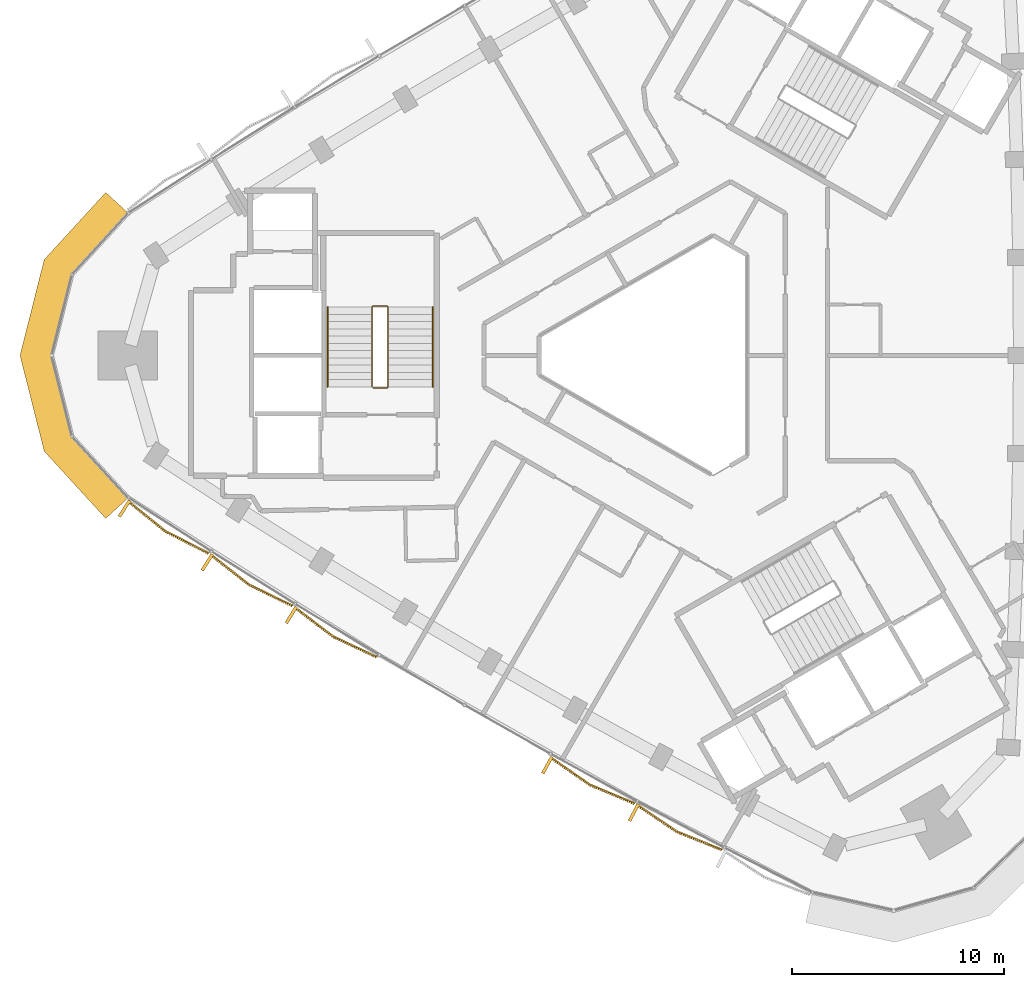
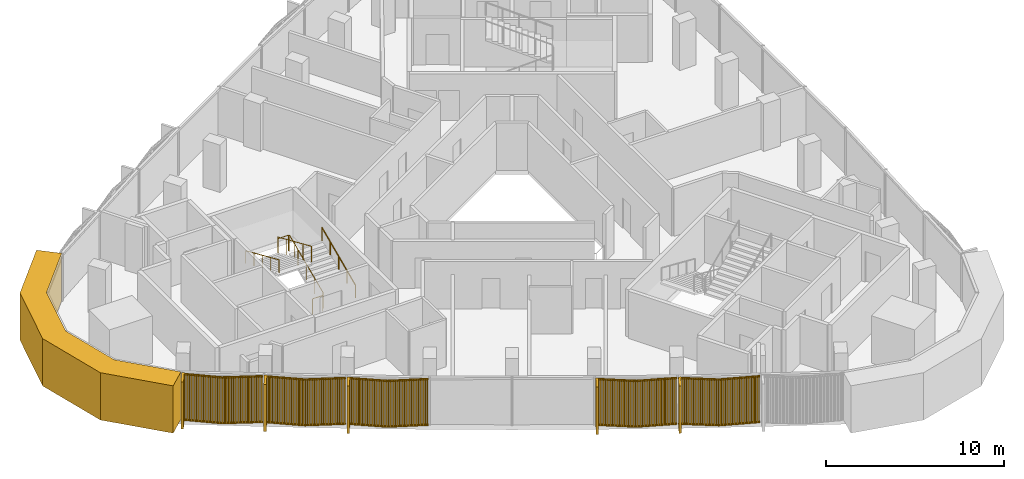
# One storey, part 12 of 16: 6 coverings, 3 railings.
"""IFC4 building model written with IfcOpenShell, lengths in metres."""

from ifc_helpers import new_model, si_unit, direction, frame, frame_2d, origin, origin_2d, place, context, subcontext, project, spatial, polyline, rectangle, circle, outline, extrude, source, transform, mapped, material, layer, layer_set, type_object, element, save


model = new_model("IFC4")

# Units and contexts
model_context = context("Model", 3, precision=1e-05, world=origin(), true_north=direction((0.0, 1.0)))
body_context = subcontext(model_context, "Body", "Model", "MODEL_VIEW")
ifc_project = project(units=[si_unit("LENGTHUNIT", "METRE"), si_unit("AREAUNIT", "SQUARE_METRE"), si_unit("VOLUMEUNIT", "CUBIC_METRE"), si_unit("PLANEANGLEUNIT", "RADIAN"), si_unit("MASSUNIT", "GRAM", prefix="KILO")], contexts=[model_context])

# Site, building, storey
site_placement = place(None, origin())
site = spatial("IfcSite", under=ifc_project, at=site_placement, CompositionType="ELEMENT")
building_placement = place(site_placement, origin())
building = spatial("IfcBuilding", under=site, at=building_placement, Name="Tamra Quay Hotel Tower", CompositionType="ELEMENT")
storey_placement = place(building_placement, frame((0.0, 0.0, 239.39990234375)))
storey = spatial("IfcBuildingStorey", under=building, at=storey_placement, Name="L60", CompositionType="ELEMENT", Elevation=239.39990234375)

# Covering
ifc_material_1 = material(Name="Precast concrete M60 terracotta-coloured", Category="masonry")
ifc_layer = layer(ifc_material_1, 1.449951171875)
ifc_layer_set = layer_set([ifc_layer], Name="CORNER PIER PANEL")
covering_type_1 = type_object("IfcCoveringType", Name="CORNER PIER PANEL", PredefinedType="CLADDING", material=ifc_layer_set)
covering_placement = place(storey_placement, origin())
element("IfcCovering", 1, at=covering_placement, inside=storey, type_object=covering_type_1, Name="Corner pier L60.north-west", PredefinedType="CLADDING", context=body_context, shape_type="SweptSolid", body=[
    extrude(outline(polyline([(-25.387939453125, 6.712646484375), (-26.457275390625, 7.69189453125), (-29.3603515625, 4.5224609375), (-30.501708984375, 0.0), (-29.3603515625, -4.5224609375), (-26.457275390625, -7.69189453125), (-25.387939453125, -6.712646484375), (-28.0439453125, -3.812744140625), (-29.006103515625, 0.0), (-28.0439453125, 3.812744140625), (-25.387939453125, 6.712646484375)])), origin(), (0.0, 0.0, 1.0), 3.25),
])

# Railings
ifc_material_2 = material(Name="Stair guard 1100")
railing_type_1 = type_object("IfcRailingType", Name="Stair guard 1100", PredefinedType="GUARDRAIL", material=ifc_material_2)
railing_1_placement = place(storey_placement, frame((-13.84130859375, -1.530029296875, 0.0)))
element("IfcRailing", 2, at=railing_1_placement, inside=storey, type_object=railing_type_1, Name="GR", PredefinedType="GUARDRAIL", context=body_context, shape_type="SweptSolid", body=[
    extrude(circle(Radius=0.02392578125, at=origin_2d()), frame((0.0, 0.0, 1.076171875), z_axis=(1.0, 0.0, 0.0), x_axis=(0.0, 1.0, 0.0)), (0.0, 0.0, 1.0), 0.658935546875),
    extrude(circle(Radius=0.02392578125, at=origin_2d()), frame((0.658935546875, 0.0, 1.076171875), z_axis=(0.301511344578, 0.301511344578, 0.904534033733), x_axis=(-0.707106781187, 0.707106781187, 0.0)), (0.0, 0.0, 1.0), 0.166015625),
    extrude(circle(Radius=0.02392578125, at=origin_2d()), frame((0.708984375, 0.050048828125, 1.22607421875), z_axis=(0.0, 0.915795495799, 0.401644880304), x_axis=(-1.0, 0.0, 0.0)), (0.0, 0.0, 1.0), 4.10791015625),
    extrude(circle(Radius=0.02392578125, at=origin_2d()), frame((0.708984375, 3.81201171875, 2.8759765625), z_axis=(-0.708833529934, 0.705375805398, 0.0), x_axis=(-0.705375805398, -0.708833529934, 0.0)), (0.0, 0.0, 1.0), 0.070556640625),
    extrude(circle(Radius=0.02392578125, at=origin_2d()), frame((0.658935546875, 3.86181640625, 2.8759765625), z_axis=(-1.0, 0.0, 0.0), x_axis=(0.0, -1.0, 0.0)), (0.0, 0.0, 1.0), 0.658935546875),
    extrude(circle(Radius=0.02392578125, at=origin_2d()), frame((0.0, 3.86181640625, 2.8759765625), z_axis=(-0.301644814947, -0.300173376825, 0.904934444842), x_axis=(0.705375805398, -0.708833529934, 0.0)), (0.0, 0.0, 1.0), 0.166015625),
    extrude(circle(Radius=0.02392578125, at=origin_2d()), frame((-0.050048828125, 3.81201171875, 3.0263671875), z_axis=(0.0, -0.915795495799, 0.401644880304), x_axis=(1.0, 0.0, 0.0)), (0.0, 0.0, 1.0), 4.10791015625),
    extrude(circle(Radius=0.02099609375, at=origin_2d()), origin(), (0.0, 0.0, 1.0), 1.052001953125),
    extrude(circle(Radius=0.02099609375, at=origin_2d()), frame((0.658935546875, 0.0, 0.0)), (0.0, 0.0, 1.0), 1.052001953125),
    extrude(circle(Radius=0.02099609375, at=origin_2d()), frame((0.708984375, 0.050048828125, 0.150146484375)), (0.0, 0.0, 1.0), 1.052001953125),
    extrude(circle(Radius=0.02099609375, at=origin_2d()), frame((0.708984375, 0.990478515625, 0.5625)), (0.0, 0.0, 1.0), 1.052001953125),
    extrude(circle(Radius=0.02099609375, at=origin_2d()), frame((0.708984375, 1.93115234375, 0.97509765625)), (0.0, 0.0, 1.0), 1.052001953125),
    extrude(circle(Radius=0.02099609375, at=origin_2d()), frame((0.708984375, 2.87158203125, 1.3876953125)), (0.0, 0.0, 1.0), 1.052001953125),
    extrude(circle(Radius=0.02099609375, at=origin_2d()), frame((0.708984375, 3.81201171875, 1.800048828125)), (0.0, 0.0, 1.0), 1.052001953125),
    extrude(circle(Radius=0.02099609375, at=origin_2d()), frame((0.658935546875, 3.86181640625, 1.800048828125)), (0.0, 0.0, 1.0), 1.052001953125),
    extrude(circle(Radius=0.02099609375, at=origin_2d()), frame((0.0, 3.86181640625, 1.800048828125)), (0.0, 0.0, 1.0), 1.052001953125),
    extrude(circle(Radius=0.02099609375, at=origin_2d()), frame((-0.050048828125, 3.81201171875, 1.9501953125)), (0.0, 0.0, 1.0), 1.052001953125),
    extrude(circle(Radius=0.02099609375, at=origin_2d()), frame((-0.050048828125, 2.87158203125, 2.36279296875)), (0.0, 0.0, 1.0), 1.052001953125),
    extrude(circle(Radius=0.02099609375, at=origin_2d()), frame((-0.050048828125, 1.93115234375, 2.775146484375)), (0.0, 0.0, 1.0), 1.052001953125),
    extrude(circle(Radius=0.02099609375, at=origin_2d()), frame((-0.050048828125, 0.990478515625, 3.1875)), (0.0, 0.0, 1.0), 1.052001953125),
    extrude(circle(Radius=0.02099609375, at=origin_2d()), frame((-0.050048828125, 0.050048828125, 3.60009765625)), (0.0, 0.0, 1.0), 1.052001953125),
])
ifc_material_3 = material(Name="Stair handrail 900")
railing_type_2 = type_object("IfcRailingType", Name="Stair handrail 900", PredefinedType="HANDRAIL", material=ifc_material_3)
railing_2_placement = place(storey_placement, frame((-11.0322265625, -1.47998046875, 0.150146484375)))
element("IfcRailing", 3, at=railing_2_placement, inside=storey, type_object=railing_type_2, Name="HR", PredefinedType="HANDRAIL", context=body_context, shape_type="SweptSolid", body=[
    extrude(circle(Radius=0.02392578125, at=origin_2d()), frame((0.0, 0.0, 0.8759765625), z_axis=(0.0, 0.915795495799, 0.401644880304), x_axis=(-1.0, 0.0, 0.0)), (0.0, 0.0, 1.0), 4.10791015625),
    extrude(circle(Radius=0.02099609375, at=origin_2d()), origin(), (0.0, 0.0, 1.0), 0.851806640625),
    extrude(circle(Radius=0.02099609375, at=origin_2d()), frame((0.0, 0.9404296875, 0.41259765625)), (0.0, 0.0, 1.0), 0.851806640625),
    extrude(circle(Radius=0.02099609375, at=origin_2d()), frame((0.0, 1.880859375, 0.824951171875)), (0.0, 0.0, 1.0), 0.851806640625),
    extrude(circle(Radius=0.02099609375, at=origin_2d()), frame((0.0, 2.821533203125, 1.2373046875)), (0.0, 0.0, 1.0), 0.851806640625),
    extrude(circle(Radius=0.02099609375, at=origin_2d()), frame((0.0, 3.761962890625, 1.64990234375)), (0.0, 0.0, 1.0), 0.851806640625),
])
railing_3_placement = place(storey_placement, frame((-15.9912109375, 2.281982421875, 1.9501953125)))
element("IfcRailing", 4, at=railing_3_placement, inside=storey, type_object=railing_type_2, Name="HR", PredefinedType="HANDRAIL", context=body_context, shape_type="SweptSolid", body=[
    extrude(circle(Radius=0.02392578125, at=origin_2d()), frame((0.0, 0.0, 0.8759765625), z_axis=(0.0, -0.915795495799, 0.401644880304), x_axis=(1.0, 0.0, 0.0)), (0.0, 0.0, 1.0), 4.10791015625),
    extrude(circle(Radius=0.02099609375, at=origin_2d()), origin(), (0.0, 0.0, 1.0), 0.851806640625),
    extrude(circle(Radius=0.02099609375, at=origin_2d()), frame((0.0, -0.9404296875, 0.41259765625)), (0.0, 0.0, 1.0), 0.851806640625),
    extrude(circle(Radius=0.02099609375, at=origin_2d()), frame((0.0, -1.880859375, 0.824951171875)), (0.0, 0.0, 1.0), 0.851806640625),
    extrude(circle(Radius=0.02099609375, at=origin_2d()), frame((0.0, -2.821533203125, 1.2373046875)), (0.0, 0.0, 1.0), 0.851806640625),
    extrude(circle(Radius=0.02099609375, at=origin_2d()), frame((0.0, -3.761962890625, 1.64990234375)), (0.0, 0.0, 1.0), 0.851806640625),
])

# Coverings
ifc_material_4 = material(Name="Terracotta baguette extruded", Category="masonry")
covering_type_2 = type_object("IfcCoveringType", Name="BAGUETTE SCREEN SW-V H3250", PredefinedType="USERDEFINED", material=ifc_material_4)
shared_shape_1 = source(origin(), body_context, "Body", "SweptSolid", [
    extrude(rectangle(XDim=2.295166015625, YDim=0.06005859375, at=frame_2d((1.1474609375, 0.030029296875))), frame((-2.288818359375, -0.0576171875, -0.1201171875), z_axis=(0.0, 0.0, 1.0), x_axis=(0.994521895368, -0.104528463268, 0.0)), (0.0, 0.0, 1.0), 0.1201171875),
    extrude(rectangle(XDim=2.295166015625, YDim=0.06005859375, at=frame_2d((1.1474609375, 0.030029296875))), frame((-2.288818359375, -0.0576171875, -3.25), z_axis=(0.0, 0.0, 1.0), x_axis=(0.994521895368, -0.104528463268, 0.0)), (0.0, 0.0, 1.0), 0.1201171875),
    extrude(rectangle(XDim=0.070068359375, YDim=0.10009765625, at=frame_2d((0.03515625, 0.050048828125))), frame((-2.267822265625, -0.13330078125, -3.18994140625)), (0.0, 0.0, 1.0), 3.1298828125),
    extrude(rectangle(XDim=0.070068359375, YDim=0.10009765625, at=frame_2d((0.03515625, 0.050048828125))), frame((-2.168701171875, -0.1435546875, -3.18994140625)), (0.0, 0.0, 1.0), 3.1298828125),
    extrude(rectangle(XDim=0.070068359375, YDim=0.10009765625, at=frame_2d((0.03515625, 0.050048828125))), frame((-2.0693359375, -0.154052734375, -3.18994140625)), (0.0, 0.0, 1.0), 3.1298828125),
    extrude(rectangle(XDim=0.070068359375, YDim=0.10009765625, at=frame_2d((0.03515625, 0.050048828125))), frame((-1.97021484375, -0.16455078125, -3.18994140625)), (0.0, 0.0, 1.0), 3.1298828125),
    extrude(rectangle(XDim=0.070068359375, YDim=0.10009765625, at=frame_2d((0.03515625, 0.050048828125))), frame((-1.870849609375, -0.175048828125, -3.18994140625)), (0.0, 0.0, 1.0), 3.1298828125),
    extrude(rectangle(XDim=0.070068359375, YDim=0.10009765625, at=frame_2d((0.03515625, 0.050048828125))), frame((-1.771728515625, -0.185302734375, -3.18994140625)), (0.0, 0.0, 1.0), 3.1298828125),
    extrude(rectangle(XDim=0.070068359375, YDim=0.10009765625, at=frame_2d((0.03515625, 0.050048828125))), frame((-1.67236328125, -0.19580078125, -3.18994140625)), (0.0, 0.0, 1.0), 3.1298828125),
    extrude(rectangle(XDim=0.070068359375, YDim=0.10009765625, at=frame_2d((0.03515625, 0.050048828125))), frame((-1.5732421875, -0.206298828125, -3.18994140625)), (0.0, 0.0, 1.0), 3.1298828125),
    extrude(rectangle(XDim=0.070068359375, YDim=0.10009765625, at=frame_2d((0.03515625, 0.050048828125))), frame((-1.473876953125, -0.216552734375, -3.18994140625)), (0.0, 0.0, 1.0), 3.1298828125),
    extrude(rectangle(XDim=0.070068359375, YDim=0.10009765625, at=frame_2d((0.03515625, 0.050048828125))), frame((-1.374755859375, -0.22705078125, -3.18994140625)), (0.0, 0.0, 1.0), 3.1298828125),
    extrude(rectangle(XDim=0.070068359375, YDim=0.10009765625, at=frame_2d((0.03515625, 0.050048828125))), frame((-1.275390625, -0.237548828125, -3.18994140625)), (0.0, 0.0, 1.0), 3.1298828125),
    extrude(rectangle(XDim=0.070068359375, YDim=0.10009765625, at=frame_2d((0.03515625, 0.050048828125))), frame((-1.17626953125, -0.248046875, -3.18994140625)), (0.0, 0.0, 1.0), 3.1298828125),
    extrude(rectangle(XDim=0.070068359375, YDim=0.10009765625, at=frame_2d((0.03515625, 0.050048828125))), frame((-1.076904296875, -0.25830078125, -3.18994140625)), (0.0, 0.0, 1.0), 3.1298828125),
    extrude(rectangle(XDim=0.070068359375, YDim=0.10009765625, at=frame_2d((0.03515625, 0.050048828125))), frame((-0.977783203125, -0.268798828125, -3.18994140625)), (0.0, 0.0, 1.0), 3.1298828125),
    extrude(rectangle(XDim=0.070068359375, YDim=0.10009765625, at=frame_2d((0.03515625, 0.050048828125))), frame((-0.87841796875, -0.279296875, -3.18994140625)), (0.0, 0.0, 1.0), 3.1298828125),
    extrude(rectangle(XDim=0.070068359375, YDim=0.10009765625, at=frame_2d((0.03515625, 0.050048828125))), frame((-0.779296875, -0.28955078125, -3.18994140625)), (0.0, 0.0, 1.0), 3.1298828125),
    extrude(rectangle(XDim=0.070068359375, YDim=0.10009765625, at=frame_2d((0.03515625, 0.050048828125))), frame((-0.679931640625, -0.300048828125, -3.18994140625)), (0.0, 0.0, 1.0), 3.1298828125),
    extrude(rectangle(XDim=0.070068359375, YDim=0.10009765625, at=frame_2d((0.03515625, 0.050048828125))), frame((-0.580810546875, -0.310546875, -3.18994140625)), (0.0, 0.0, 1.0), 3.1298828125),
    extrude(rectangle(XDim=0.070068359375, YDim=0.10009765625, at=frame_2d((0.03515625, 0.050048828125))), frame((-0.481689453125, -0.321044921875, -3.18994140625)), (0.0, 0.0, 1.0), 3.1298828125),
    extrude(rectangle(XDim=0.070068359375, YDim=0.10009765625, at=frame_2d((0.03515625, 0.050048828125))), frame((-0.38232421875, -0.331298828125, -3.18994140625)), (0.0, 0.0, 1.0), 3.1298828125),
    extrude(rectangle(XDim=0.070068359375, YDim=0.10009765625, at=frame_2d((0.03515625, 0.050048828125))), frame((-0.283203125, -0.341796875, -3.18994140625)), (0.0, 0.0, 1.0), 3.1298828125),
    extrude(rectangle(XDim=0.070068359375, YDim=0.10009765625, at=frame_2d((0.03515625, 0.050048828125))), frame((-0.183837890625, -0.352294921875, -3.18994140625)), (0.0, 0.0, 1.0), 3.1298828125),
    extrude(rectangle(XDim=0.070068359375, YDim=0.10009765625, at=frame_2d((0.03515625, 0.050048828125))), frame((-0.084716796875, -0.36279296875, -3.18994140625)), (0.0, 0.0, 1.0), 3.1298828125),
    extrude(rectangle(XDim=2.295166015625, YDim=0.06005859375, at=frame_2d((1.1474609375, 0.030029296875))), frame((0.00634765625, -0.297607421875, -0.1201171875), z_axis=(0.0, 0.0, 1.0), x_axis=(0.994521895368, 0.104528463268, 0.0)), (0.0, 0.0, 1.0), 0.1201171875),
    extrude(rectangle(XDim=2.295166015625, YDim=0.06005859375, at=frame_2d((1.1474609375, 0.030029296875))), frame((0.00634765625, -0.297607421875, -3.25), z_axis=(0.0, 0.0, 1.0), x_axis=(0.994521895368, 0.104528463268, 0.0)), (0.0, 0.0, 1.0), 0.1201171875),
    extrude(rectangle(XDim=0.070068359375, YDim=0.10009765625, at=frame_2d((0.03515625, 0.050048828125))), frame((0.0146484375, -0.36279296875, -3.18994140625)), (0.0, 0.0, 1.0), 3.1298828125),
    extrude(rectangle(XDim=0.070068359375, YDim=0.10009765625, at=frame_2d((0.03515625, 0.050048828125))), frame((0.11376953125, -0.352294921875, -3.18994140625)), (0.0, 0.0, 1.0), 3.1298828125),
    extrude(rectangle(XDim=0.070068359375, YDim=0.10009765625, at=frame_2d((0.03515625, 0.050048828125))), frame((0.213134765625, -0.341796875, -3.18994140625)), (0.0, 0.0, 1.0), 3.1298828125),
    extrude(rectangle(XDim=0.070068359375, YDim=0.10009765625, at=frame_2d((0.03515625, 0.050048828125))), frame((0.312255859375, -0.331298828125, -3.18994140625)), (0.0, 0.0, 1.0), 3.1298828125),
    extrude(rectangle(XDim=0.070068359375, YDim=0.10009765625, at=frame_2d((0.03515625, 0.050048828125))), frame((0.41162109375, -0.321044921875, -3.18994140625)), (0.0, 0.0, 1.0), 3.1298828125),
    extrude(rectangle(XDim=0.070068359375, YDim=0.10009765625, at=frame_2d((0.03515625, 0.050048828125))), frame((0.5107421875, -0.310546875, -3.18994140625)), (0.0, 0.0, 1.0), 3.1298828125),
    extrude(rectangle(XDim=0.070068359375, YDim=0.10009765625, at=frame_2d((0.03515625, 0.050048828125))), frame((0.610107421875, -0.300048828125, -3.18994140625)), (0.0, 0.0, 1.0), 3.1298828125),
    extrude(rectangle(XDim=0.070068359375, YDim=0.10009765625, at=frame_2d((0.03515625, 0.050048828125))), frame((0.709228515625, -0.28955078125, -3.18994140625)), (0.0, 0.0, 1.0), 3.1298828125),
    extrude(rectangle(XDim=0.070068359375, YDim=0.10009765625, at=frame_2d((0.03515625, 0.050048828125))), frame((0.80859375, -0.279296875, -3.18994140625)), (0.0, 0.0, 1.0), 3.1298828125),
    extrude(rectangle(XDim=0.070068359375, YDim=0.10009765625, at=frame_2d((0.03515625, 0.050048828125))), frame((0.90771484375, -0.268798828125, -3.18994140625)), (0.0, 0.0, 1.0), 3.1298828125),
    extrude(rectangle(XDim=0.070068359375, YDim=0.10009765625, at=frame_2d((0.03515625, 0.050048828125))), frame((1.007080078125, -0.25830078125, -3.18994140625)), (0.0, 0.0, 1.0), 3.1298828125),
    extrude(rectangle(XDim=0.070068359375, YDim=0.10009765625, at=frame_2d((0.03515625, 0.050048828125))), frame((1.106201171875, -0.248046875, -3.18994140625)), (0.0, 0.0, 1.0), 3.1298828125),
    extrude(rectangle(XDim=0.070068359375, YDim=0.10009765625, at=frame_2d((0.03515625, 0.050048828125))), frame((1.20556640625, -0.237548828125, -3.18994140625)), (0.0, 0.0, 1.0), 3.1298828125),
    extrude(rectangle(XDim=0.070068359375, YDim=0.10009765625, at=frame_2d((0.03515625, 0.050048828125))), frame((1.3046875, -0.22705078125, -3.18994140625)), (0.0, 0.0, 1.0), 3.1298828125),
    extrude(rectangle(XDim=0.070068359375, YDim=0.10009765625, at=frame_2d((0.03515625, 0.050048828125))), frame((1.404052734375, -0.216552734375, -3.18994140625)), (0.0, 0.0, 1.0), 3.1298828125),
    extrude(rectangle(XDim=0.070068359375, YDim=0.10009765625, at=frame_2d((0.03515625, 0.050048828125))), frame((1.503173828125, -0.206298828125, -3.18994140625)), (0.0, 0.0, 1.0), 3.1298828125),
    extrude(rectangle(XDim=0.070068359375, YDim=0.10009765625, at=frame_2d((0.03515625, 0.050048828125))), frame((1.6025390625, -0.19580078125, -3.18994140625)), (0.0, 0.0, 1.0), 3.1298828125),
    extrude(rectangle(XDim=0.070068359375, YDim=0.10009765625, at=frame_2d((0.03515625, 0.050048828125))), frame((1.70166015625, -0.185302734375, -3.18994140625)), (0.0, 0.0, 1.0), 3.1298828125),
    extrude(rectangle(XDim=0.070068359375, YDim=0.10009765625, at=frame_2d((0.03515625, 0.050048828125))), frame((1.801025390625, -0.175048828125, -3.18994140625)), (0.0, 0.0, 1.0), 3.1298828125),
    extrude(rectangle(XDim=0.070068359375, YDim=0.10009765625, at=frame_2d((0.03515625, 0.050048828125))), frame((1.900146484375, -0.16455078125, -3.18994140625)), (0.0, 0.0, 1.0), 3.1298828125),
    extrude(rectangle(XDim=0.070068359375, YDim=0.10009765625, at=frame_2d((0.03515625, 0.050048828125))), frame((1.99951171875, -0.154052734375, -3.18994140625)), (0.0, 0.0, 1.0), 3.1298828125),
    extrude(rectangle(XDim=0.070068359375, YDim=0.10009765625, at=frame_2d((0.03515625, 0.050048828125))), frame((2.0986328125, -0.1435546875, -3.18994140625)), (0.0, 0.0, 1.0), 3.1298828125),
    extrude(rectangle(XDim=0.070068359375, YDim=0.10009765625, at=frame_2d((0.03515625, 0.050048828125))), frame((2.197998046875, -0.13330078125, -3.18994140625)), (0.0, 0.0, 1.0), 3.1298828125),
    extrude(rectangle(XDim=0.14990234375, YDim=0.902099609375, at=frame_2d((0.074951171875, 0.451171875))), frame((-2.282470703125, -0.89990234375, -3.25)), (0.0, 0.0, 1.0), 3.25),
])
for number, where, z_axis, x_axis, name in (
    (5, (-23.477783203125, -8.04931640625, 3.25), (0.0, 0.0, 1.0), (0.839179103518, -0.54385515739, 0.0), "Baguette screen L60.SW.f00"),
    (6, (-15.5810546875, -13.004150390625, 3.25), (0.0, 0.0, 1.0), (0.854783246382, -0.518985165207, 0.0), "Baguette screen L60.SW.f02"),
    (7, (-3.47119140625, -19.99560546875, 3.25), (0.0, 0.0, 1.0), (0.876845960448, -0.480771423492, 0.0), "Baguette screen L60.SW.f05"),
):
    element("IfcCovering", number, at=place(storey_placement, frame(where, z_axis=z_axis, x_axis=x_axis)), inside=storey, type_object=covering_type_2, Name=name, ObjectType="BAGUETTE SCREEN", PredefinedType="USERDEFINED", context=body_context, shape_type="MappedRepresentation", body=[
        mapped(shared_shape_1, transform((0.0, 0.0, 0.0), scale=1.0)),
    ])
shared_shape_2 = source(origin(), body_context, "Body", "SweptSolid", [
    extrude(rectangle(XDim=2.30517578125, YDim=0.06005859375, at=frame_2d((1.152587890625, 0.030029296875))), frame((-2.298828125, -0.0576171875, -0.1201171875), z_axis=(0.0, 0.0, 1.0), x_axis=(0.994521895368, -0.104528463268, 0.0)), (0.0, 0.0, 1.0), 0.1201171875),
    extrude(rectangle(XDim=2.30517578125, YDim=0.06005859375, at=frame_2d((1.152587890625, 0.030029296875))), frame((-2.298828125, -0.0576171875, -3.25), z_axis=(0.0, 0.0, 1.0), x_axis=(0.994521895368, -0.104528463268, 0.0)), (0.0, 0.0, 1.0), 0.1201171875),
    extrude(rectangle(XDim=0.070068359375, YDim=0.10009765625, at=frame_2d((0.03515625, 0.050048828125))), frame((-2.277587890625, -0.13330078125, -3.18994140625)), (0.0, 0.0, 1.0), 3.1298828125),
    extrude(rectangle(XDim=0.070068359375, YDim=0.10009765625, at=frame_2d((0.03515625, 0.050048828125))), frame((-2.177978515625, -0.143798828125, -3.18994140625)), (0.0, 0.0, 1.0), 3.1298828125),
    extrude(rectangle(XDim=0.070068359375, YDim=0.10009765625, at=frame_2d((0.03515625, 0.050048828125))), frame((-2.078369140625, -0.154296875, -3.18994140625)), (0.0, 0.0, 1.0), 3.1298828125),
    extrude(rectangle(XDim=0.070068359375, YDim=0.10009765625, at=frame_2d((0.03515625, 0.050048828125))), frame((-1.978759765625, -0.16455078125, -3.18994140625)), (0.0, 0.0, 1.0), 3.1298828125),
    extrude(rectangle(XDim=0.070068359375, YDim=0.10009765625, at=frame_2d((0.03515625, 0.050048828125))), frame((-1.87890625, -0.175048828125, -3.18994140625)), (0.0, 0.0, 1.0), 3.1298828125),
    extrude(rectangle(XDim=0.070068359375, YDim=0.10009765625, at=frame_2d((0.03515625, 0.050048828125))), frame((-1.779296875, -0.185546875, -3.18994140625)), (0.0, 0.0, 1.0), 3.1298828125),
    extrude(rectangle(XDim=0.070068359375, YDim=0.10009765625, at=frame_2d((0.03515625, 0.050048828125))), frame((-1.6796875, -0.196044921875, -3.18994140625)), (0.0, 0.0, 1.0), 3.1298828125),
    extrude(rectangle(XDim=0.070068359375, YDim=0.10009765625, at=frame_2d((0.03515625, 0.050048828125))), frame((-1.579833984375, -0.20654296875, -3.18994140625)), (0.0, 0.0, 1.0), 3.1298828125),
    extrude(rectangle(XDim=0.070068359375, YDim=0.10009765625, at=frame_2d((0.03515625, 0.050048828125))), frame((-1.480224609375, -0.217041015625, -3.18994140625)), (0.0, 0.0, 1.0), 3.1298828125),
    extrude(rectangle(XDim=0.070068359375, YDim=0.10009765625, at=frame_2d((0.03515625, 0.050048828125))), frame((-1.380615234375, -0.2275390625, -3.18994140625)), (0.0, 0.0, 1.0), 3.1298828125),
    extrude(rectangle(XDim=0.070068359375, YDim=0.10009765625, at=frame_2d((0.03515625, 0.050048828125))), frame((-1.281005859375, -0.238037109375, -3.18994140625)), (0.0, 0.0, 1.0), 3.1298828125),
    extrude(rectangle(XDim=0.070068359375, YDim=0.10009765625, at=frame_2d((0.03515625, 0.050048828125))), frame((-1.18115234375, -0.24853515625, -3.18994140625)), (0.0, 0.0, 1.0), 3.1298828125),
    extrude(rectangle(XDim=0.070068359375, YDim=0.10009765625, at=frame_2d((0.03515625, 0.050048828125))), frame((-1.08154296875, -0.259033203125, -3.18994140625)), (0.0, 0.0, 1.0), 3.1298828125),
    extrude(rectangle(XDim=0.070068359375, YDim=0.10009765625, at=frame_2d((0.03515625, 0.050048828125))), frame((-0.98193359375, -0.26953125, -3.18994140625)), (0.0, 0.0, 1.0), 3.1298828125),
    extrude(rectangle(XDim=0.070068359375, YDim=0.10009765625, at=frame_2d((0.03515625, 0.050048828125))), frame((-0.88232421875, -0.27978515625, -3.18994140625)), (0.0, 0.0, 1.0), 3.1298828125),
    extrude(rectangle(XDim=0.070068359375, YDim=0.10009765625, at=frame_2d((0.03515625, 0.050048828125))), frame((-0.782470703125, -0.290283203125, -3.18994140625)), (0.0, 0.0, 1.0), 3.1298828125),
    extrude(rectangle(XDim=0.070068359375, YDim=0.10009765625, at=frame_2d((0.03515625, 0.050048828125))), frame((-0.682861328125, -0.30078125, -3.18994140625)), (0.0, 0.0, 1.0), 3.1298828125),
    extrude(rectangle(XDim=0.070068359375, YDim=0.10009765625, at=frame_2d((0.03515625, 0.050048828125))), frame((-0.583251953125, -0.311279296875, -3.18994140625)), (0.0, 0.0, 1.0), 3.1298828125),
    extrude(rectangle(XDim=0.070068359375, YDim=0.10009765625, at=frame_2d((0.03515625, 0.050048828125))), frame((-0.483642578125, -0.32177734375, -3.18994140625)), (0.0, 0.0, 1.0), 3.1298828125),
    extrude(rectangle(XDim=0.070068359375, YDim=0.10009765625, at=frame_2d((0.03515625, 0.050048828125))), frame((-0.3837890625, -0.332275390625, -3.18994140625)), (0.0, 0.0, 1.0), 3.1298828125),
    extrude(rectangle(XDim=0.070068359375, YDim=0.10009765625, at=frame_2d((0.03515625, 0.050048828125))), frame((-0.2841796875, -0.3427734375, -3.18994140625)), (0.0, 0.0, 1.0), 3.1298828125),
    extrude(rectangle(XDim=0.070068359375, YDim=0.10009765625, at=frame_2d((0.03515625, 0.050048828125))), frame((-0.1845703125, -0.353271484375, -3.18994140625)), (0.0, 0.0, 1.0), 3.1298828125),
    extrude(rectangle(XDim=0.070068359375, YDim=0.10009765625, at=frame_2d((0.03515625, 0.050048828125))), frame((-0.0849609375, -0.36376953125, -3.18994140625)), (0.0, 0.0, 1.0), 3.1298828125),
    extrude(rectangle(XDim=2.30517578125, YDim=0.06005859375, at=frame_2d((1.152587890625, 0.030029296875))), frame((0.00634765625, -0.298583984375, -0.1201171875), z_axis=(0.0, 0.0, 1.0), x_axis=(0.994521895368, 0.104528463268, 0.0)), (0.0, 0.0, 1.0), 0.1201171875),
    extrude(rectangle(XDim=2.30517578125, YDim=0.06005859375, at=frame_2d((1.152587890625, 0.030029296875))), frame((0.00634765625, -0.298583984375, -3.25), z_axis=(0.0, 0.0, 1.0), x_axis=(0.994521895368, 0.104528463268, 0.0)), (0.0, 0.0, 1.0), 0.1201171875),
    extrude(rectangle(XDim=0.070068359375, YDim=0.10009765625, at=frame_2d((0.03515625, 0.050048828125))), frame((0.014892578125, -0.36376953125, -3.18994140625)), (0.0, 0.0, 1.0), 3.1298828125),
    extrude(rectangle(XDim=0.070068359375, YDim=0.10009765625, at=frame_2d((0.03515625, 0.050048828125))), frame((0.114501953125, -0.353271484375, -3.18994140625)), (0.0, 0.0, 1.0), 3.1298828125),
    extrude(rectangle(XDim=0.070068359375, YDim=0.10009765625, at=frame_2d((0.03515625, 0.050048828125))), frame((0.214111328125, -0.3427734375, -3.18994140625)), (0.0, 0.0, 1.0), 3.1298828125),
    extrude(rectangle(XDim=0.070068359375, YDim=0.10009765625, at=frame_2d((0.03515625, 0.050048828125))), frame((0.31396484375, -0.332275390625, -3.18994140625)), (0.0, 0.0, 1.0), 3.1298828125),
    extrude(rectangle(XDim=0.070068359375, YDim=0.10009765625, at=frame_2d((0.03515625, 0.050048828125))), frame((0.41357421875, -0.32177734375, -3.18994140625)), (0.0, 0.0, 1.0), 3.1298828125),
    extrude(rectangle(XDim=0.070068359375, YDim=0.10009765625, at=frame_2d((0.03515625, 0.050048828125))), frame((0.51318359375, -0.311279296875, -3.18994140625)), (0.0, 0.0, 1.0), 3.1298828125),
    extrude(rectangle(XDim=0.070068359375, YDim=0.10009765625, at=frame_2d((0.03515625, 0.050048828125))), frame((0.61279296875, -0.30078125, -3.18994140625)), (0.0, 0.0, 1.0), 3.1298828125),
    extrude(rectangle(XDim=0.070068359375, YDim=0.10009765625, at=frame_2d((0.03515625, 0.050048828125))), frame((0.712646484375, -0.290283203125, -3.18994140625)), (0.0, 0.0, 1.0), 3.1298828125),
    extrude(rectangle(XDim=0.070068359375, YDim=0.10009765625, at=frame_2d((0.03515625, 0.050048828125))), frame((0.812255859375, -0.27978515625, -3.18994140625)), (0.0, 0.0, 1.0), 3.1298828125),
    extrude(rectangle(XDim=0.070068359375, YDim=0.10009765625, at=frame_2d((0.03515625, 0.050048828125))), frame((0.911865234375, -0.26953125, -3.18994140625)), (0.0, 0.0, 1.0), 3.1298828125),
    extrude(rectangle(XDim=0.070068359375, YDim=0.10009765625, at=frame_2d((0.03515625, 0.050048828125))), frame((1.011474609375, -0.259033203125, -3.18994140625)), (0.0, 0.0, 1.0), 3.1298828125),
    extrude(rectangle(XDim=0.070068359375, YDim=0.10009765625, at=frame_2d((0.03515625, 0.050048828125))), frame((1.111328125, -0.24853515625, -3.18994140625)), (0.0, 0.0, 1.0), 3.1298828125),
    extrude(rectangle(XDim=0.070068359375, YDim=0.10009765625, at=frame_2d((0.03515625, 0.050048828125))), frame((1.2109375, -0.238037109375, -3.18994140625)), (0.0, 0.0, 1.0), 3.1298828125),
    extrude(rectangle(XDim=0.070068359375, YDim=0.10009765625, at=frame_2d((0.03515625, 0.050048828125))), frame((1.310546875, -0.2275390625, -3.18994140625)), (0.0, 0.0, 1.0), 3.1298828125),
    extrude(rectangle(XDim=0.070068359375, YDim=0.10009765625, at=frame_2d((0.03515625, 0.050048828125))), frame((1.41015625, -0.217041015625, -3.18994140625)), (0.0, 0.0, 1.0), 3.1298828125),
    extrude(rectangle(XDim=0.070068359375, YDim=0.10009765625, at=frame_2d((0.03515625, 0.050048828125))), frame((1.510009765625, -0.20654296875, -3.18994140625)), (0.0, 0.0, 1.0), 3.1298828125),
    extrude(rectangle(XDim=0.070068359375, YDim=0.10009765625, at=frame_2d((0.03515625, 0.050048828125))), frame((1.609619140625, -0.196044921875, -3.18994140625)), (0.0, 0.0, 1.0), 3.1298828125),
    extrude(rectangle(XDim=0.070068359375, YDim=0.10009765625, at=frame_2d((0.03515625, 0.050048828125))), frame((1.709228515625, -0.185546875, -3.18994140625)), (0.0, 0.0, 1.0), 3.1298828125),
    extrude(rectangle(XDim=0.070068359375, YDim=0.10009765625, at=frame_2d((0.03515625, 0.050048828125))), frame((1.80908203125, -0.175048828125, -3.18994140625)), (0.0, 0.0, 1.0), 3.1298828125),
    extrude(rectangle(XDim=0.070068359375, YDim=0.10009765625, at=frame_2d((0.03515625, 0.050048828125))), frame((1.90869140625, -0.16455078125, -3.18994140625)), (0.0, 0.0, 1.0), 3.1298828125),
    extrude(rectangle(XDim=0.070068359375, YDim=0.10009765625, at=frame_2d((0.03515625, 0.050048828125))), frame((2.00830078125, -0.154296875, -3.18994140625)), (0.0, 0.0, 1.0), 3.1298828125),
    extrude(rectangle(XDim=0.070068359375, YDim=0.10009765625, at=frame_2d((0.03515625, 0.050048828125))), frame((2.10791015625, -0.143798828125, -3.18994140625)), (0.0, 0.0, 1.0), 3.1298828125),
    extrude(rectangle(XDim=0.070068359375, YDim=0.10009765625, at=frame_2d((0.03515625, 0.050048828125))), frame((2.207763671875, -0.13330078125, -3.18994140625)), (0.0, 0.0, 1.0), 3.1298828125),
    extrude(rectangle(XDim=0.14990234375, YDim=0.902099609375, at=frame_2d((0.074951171875, 0.451171875))), frame((-2.29248046875, -0.89990234375, -3.25)), (0.0, 0.0, 1.0), 3.25),
])
for number, where, z_axis, x_axis, name in (
    (8, (-19.547607421875, -10.555908203125, 3.25), (0.0, 0.0, 1.0), (0.847068585161, -0.531483595263, 0.0), "Baguette screen L60.SW.f01"),
    (9, (0.632080078125, -22.20654296875, 3.25), (0.0, 0.0, 1.0), (0.883812587773, -0.467841115866, 0.0), "Baguette screen L60.SW.f06"),
):
    element("IfcCovering", number, at=place(storey_placement, frame(where, z_axis=z_axis, x_axis=x_axis)), inside=storey, type_object=covering_type_2, Name=name, ObjectType="BAGUETTE SCREEN", PredefinedType="USERDEFINED", context=body_context, shape_type="MappedRepresentation", body=[
        mapped(shared_shape_2, transform((0.0, 0.0, 0.0), scale=1.0)),
    ])

save(model, "model.ifc")
